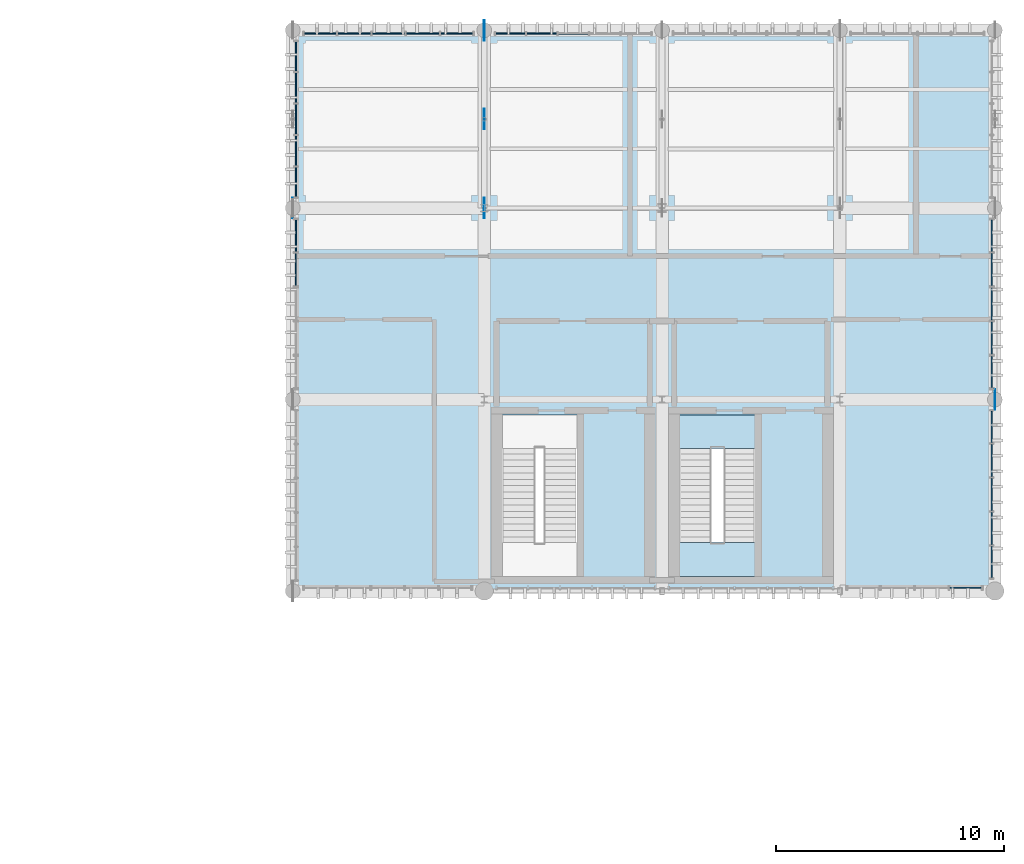
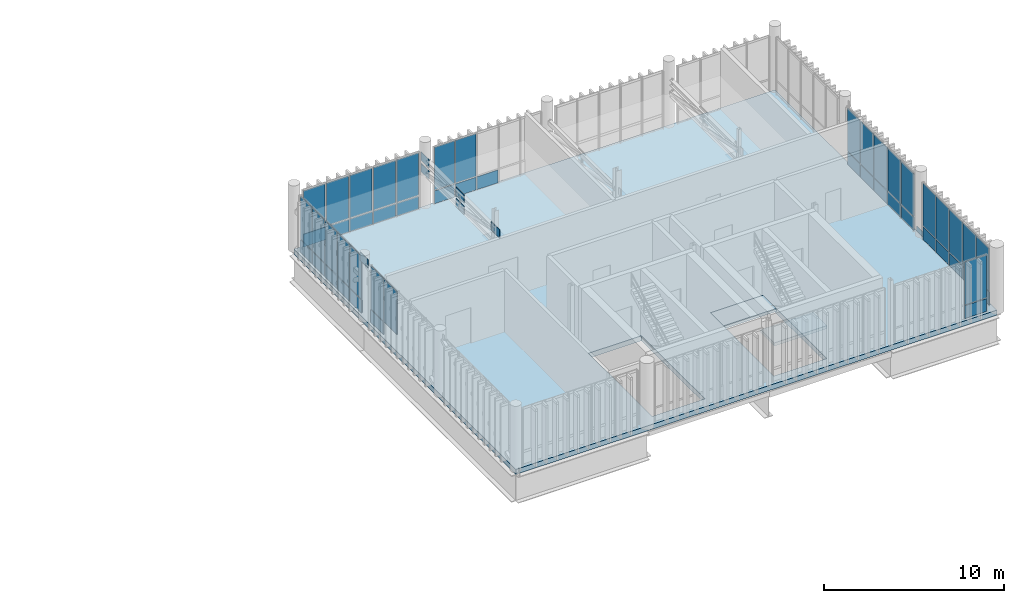
# One storey, part 44 of 53: 57 plates, 3 slabs, 8 elements without a shape of their own.
"""IFC4 building model written with IfcOpenShell, lengths in metres."""

import ifcopenshell
import ifcopenshell.guid

model = None  # the IFC model being written
_history = None  # IfcOwnerHistory: only IFC2X3 demands one
_inside = {}  # id of a spatial element -> (the spatial element, [elements in it])
_under = {}  # id of a project, library or spatial element -> (it, [spatial elements below it])
_declared = {}  # id of a project -> (the project, [libraries it declares])
_typed = {}  # id of a type object -> (the type object, [elements of that type])
_made_of = {}  # id of a material, layer set ... -> (it, [elements and type objects made of it])


def new_model(schema):
    """Start an empty IFC model of exactly this schema.

    Asked for "IFC4X3", IfcOpenShell would pick the latest addendum, in which some entities
    have other attributes; the version numbers below select the first issue.
    IFC2X3 requires an IfcOwnerHistory on every rooted entity: one is made here for all.
    """
    global model, _history
    if schema == "IFC4X3":
        model = ifcopenshell.file(schema_version=(4, 3, 0, 0))
    else:
        model = ifcopenshell.file(schema=schema)
    _inside.clear()
    _under.clear()
    _declared.clear()
    _typed.clear()
    _made_of.clear()
    _history = None
    if model.schema == "IFC2X3":
        org = make("IfcOrganization", Name="unknown")
        user = make(
            "IfcPersonAndOrganization",
            ThePerson=make("IfcPerson", FamilyName="unknown"),
            TheOrganization=org,
        )
        app = make(
            "IfcApplication",
            ApplicationDeveloper=org,
            Version="unknown",
            ApplicationFullName="unknown",
            ApplicationIdentifier="unknown",
        )
        _history = make(
            "IfcOwnerHistory",
            OwningUser=user,
            OwningApplication=app,
            ChangeAction="ADDED",
            CreationDate=0,
        )
    return model


def make(cls, **values):
    """One entity of the class cls with the attributes given. An attribute that is None is left unset."""
    return model.create_entity(
        cls, **{name: value for name, value in values.items() if value is not None}
    )


def rooted(cls, **values):
    """An entity with a GlobalId (a new one), such as an element, a storey or a relation."""
    return make(cls, GlobalId=ifcopenshell.guid.new(), OwnerHistory=_history, **values)


def si_unit(unit_type, name, prefix=None):
    """IfcSIUnit, for example si_unit("LENGTHUNIT", "METRE", prefix="MILLI")."""
    return make("IfcSIUnit", UnitType=unit_type, Prefix=prefix, Name=name)


def assignment(units):
    """IfcUnitAssignment: the units of a project."""
    return None if units is None else make("IfcUnitAssignment", Units=units)


def point(xyz):
    """IfcCartesianPoint."""
    return None if xyz is None else make("IfcCartesianPoint", Coordinates=xyz)


def direction(xyz):
    """IfcDirection."""
    return None if xyz is None else make("IfcDirection", DirectionRatios=xyz)


def frame(location, z_axis=None, x_axis=None):
    """IfcAxis2Placement3D, a coordinate frame: its origin and axes. An axis left out is left unset."""
    return make(
        "IfcAxis2Placement3D",
        Location=point(location),
        Axis=direction(z_axis),
        RefDirection=direction(x_axis),
    )


def frame_2d(location, x_axis=None):
    """IfcAxis2Placement2D, a coordinate frame in the plane: its origin and x axis."""
    return make(
        "IfcAxis2Placement2D", Location=point(location), RefDirection=direction(x_axis)
    )


def origin_with_axes():
    """The frame at (0, 0, 0) with the z axis (0, 0, 1) and the x axis (1, 0, 0) written out."""
    return frame((0.0, 0.0, 0.0), z_axis=(0.0, 0.0, 1.0), x_axis=(1.0, 0.0, 0.0))


def origin_2d_with_axis():
    """The frame at (0, 0) in the plane with the x axis (1, 0) written out."""
    return frame_2d((0.0, 0.0), x_axis=(1.0, 0.0))


def place(relative_to, where):
    """IfcLocalPlacement: puts the frame where relative to a parent placement (None: the world)."""
    return make(
        "IfcLocalPlacement", PlacementRelTo=relative_to, RelativePlacement=where
    )


def context(
    kind, dimensions, precision=None, world=None, true_north=None, identifier=None
):
    """IfcGeometricRepresentationContext, for example the 3D "Model" context."""
    return make(
        "IfcGeometricRepresentationContext",
        ContextIdentifier=identifier,
        ContextType=kind,
        CoordinateSpaceDimension=dimensions,
        Precision=precision,
        WorldCoordinateSystem=world,
        TrueNorth=true_north,
    )


def subcontext(parent, identifier, kind, view, scale=None):
    """IfcGeometricRepresentationSubContext, for example "Body" below "Model"."""
    return make(
        "IfcGeometricRepresentationSubContext",
        ContextIdentifier=identifier,
        ContextType=kind,
        ParentContext=parent,
        TargetScale=scale,
        TargetView=view,
    )


def project(units=None, contexts=None):
    """IfcProject with its units and contexts."""
    return rooted(
        "IfcProject",
        Name="project",
        RepresentationContexts=contexts,
        UnitsInContext=assignment(units),
    )


def spatial(cls, under=None, at=None, **own):
    """A site, building, storey or space (cls), placed at a placement, below another one or the project."""
    s = rooted(cls, ObjectPlacement=at, **own)
    if under is not None:
        _under.setdefault(under.id(), (under, []))[1].append(s)
    return s


def polyline(points):
    """IfcPolyline through the points."""
    return make("IfcPolyline", Points=[point(p) for p in points])


def profile(cls, at=None, kind="AREA", **sizes):
    """A parametric profile (cls). Its sizes go by their IFC names, for example OverallWidth=200.0."""
    return make(cls, ProfileType=kind, Position=at, **sizes)


def rectangle(**sizes):
    """IfcRectangleProfileDef."""
    return profile("IfcRectangleProfileDef", **sizes)


def outline(outer, holes=None, kind="AREA"):
    """IfcArbitraryClosedProfileDef: a profile drawn as a closed curve; with holes, ...WithVoids."""
    if holes is None:
        return make("IfcArbitraryClosedProfileDef", ProfileType=kind, OuterCurve=outer)
    return make(
        "IfcArbitraryProfileDefWithVoids",
        ProfileType=kind,
        OuterCurve=outer,
        InnerCurves=holes,
    )


def extrude(swept, where, along, depth):
    """IfcExtrudedAreaSolid: the profile swept, set in the frame where, extruded along a direction by depth."""
    return make(
        "IfcExtrudedAreaSolid",
        SweptArea=swept,
        Position=where,
        ExtrudedDirection=direction(along),
        Depth=depth,
    )


def shape(context_of_items, identifier, shape_type, items):
    """IfcShapeRepresentation: the items that make up one representation, for example the "Body"."""
    return make(
        "IfcShapeRepresentation",
        ContextOfItems=context_of_items,
        RepresentationIdentifier=identifier,
        RepresentationType=shape_type,
        Items=items,
    )


def material(Name=None, Category=None):
    """IfcMaterial."""
    return make("IfcMaterial", Name=Name, Category=Category)


def layer(
    of_material, thickness, ventilated=None, Name=None, Category=None, Priority=None
):
    """IfcMaterialLayer: one layer of a wall or slab, of a material (None: an air gap)."""
    return make(
        "IfcMaterialLayer",
        Material=of_material,
        LayerThickness=thickness,
        IsVentilated=ventilated,
        Name=Name,
        Category=Category,
        Priority=Priority,
    )


def layer_set(layers, Name=None):
    """IfcMaterialLayerSet."""
    return make("IfcMaterialLayerSet", MaterialLayers=layers, LayerSetName=Name)


def made_of(thing, what):
    """Note that an element or type object is made of a material, layer set ...; save() writes the relation."""
    if what is not None:
        _made_of.setdefault(what.id(), (what, []))[1].append(thing)
    return thing


def type_object(cls, material=None, **own):
    """A type object (cls), such as IfcWallType, which elements share."""
    return made_of(rooted(cls, **own), material)


def element(
    cls,
    number,
    at=None,
    inside=None,
    cuts=None,
    type_object=None,
    material=None,
    context=None,
    identifier="Body",
    shape_type=None,
    held_by="IfcProductDefinitionShape",
    body=None,
    shapes=None,
    **own,
):
    """One element of the class cls, such as IfcWall. Its Tag is "e" and its number.

    at: its placement. inside: the storey or other place that contains it. cuts: it is an
    opening in that element (IfcRelVoidsElement). A single representation is given by context,
    identifier, shape_type and body (its items); several are given by shapes. held_by: the class
    of the entity that holds the representations. save() writes the other relations.
    """
    e = rooted(cls, Tag="e%d" % number, ObjectPlacement=at, **own)
    if body is not None:
        shapes = [shape(context, identifier, shape_type, body)]
    if shapes is not None:
        e.Representation = make(held_by, Representations=shapes)
    if inside is not None:
        _inside.setdefault(inside.id(), (inside, []))[1].append(e)
    if cuts is not None:
        rooted(
            "IfcRelVoidsElement", RelatingBuildingElement=cuts, RelatedOpeningElement=e
        )
    if type_object is not None:
        _typed.setdefault(type_object.id(), (type_object, []))[1].append(e)
    return made_of(e, material)


def aggregate(whole, parts):
    """IfcRelAggregates: a whole, such as a stair, and the parts it consists of."""
    return rooted("IfcRelAggregates", RelatingObject=whole, RelatedObjects=parts)


def save(model, path):
    """Write the relations noted so far, then the file.

    IfcRelAggregates (storeys below a building ...), IfcRelContainedInSpatialStructure (elements
    in a storey), IfcRelDefinesByType, IfcRelAssociatesMaterial and IfcRelDeclares: one each for
    every whole, place, type object, material and project.
    """
    for whole, parts in _under.values():
        aggregate(whole, parts)
    for where, things in _inside.values():
        rooted(
            "IfcRelContainedInSpatialStructure",
            RelatedElements=things,
            RelatingStructure=where,
        )
    for kind, things in _typed.values():
        rooted("IfcRelDefinesByType", RelatedObjects=things, RelatingType=kind)
    for what, things in _made_of.values():
        rooted("IfcRelAssociatesMaterial", RelatedObjects=things, RelatingMaterial=what)
    for by, libraries in _declared.values():
        rooted("IfcRelDeclares", RelatingContext=by, RelatedDefinitions=libraries)
    model.write(path)


model = new_model("IFC4")

# Units and contexts
model_context = context("Model", 3, precision=1e-05, world=origin_with_axes(), true_north=direction((0.0, 1.0)))
body_context = subcontext(model_context, "Body", "Model", "MODEL_VIEW")
ifc_project = project(units=[si_unit("LENGTHUNIT", "METRE"), si_unit("AREAUNIT", "SQUARE_METRE"), si_unit("VOLUMEUNIT", "CUBIC_METRE"), si_unit("PLANEANGLEUNIT", "RADIAN"), si_unit("MASSUNIT", "GRAM", prefix="KILO"), si_unit("THERMODYNAMICTEMPERATUREUNIT", "KELVIN")], contexts=[model_context])

# Site, building, storey
site_placement = place(None, origin_with_axes())
site = spatial("IfcSite", under=ifc_project, at=site_placement, CompositionType="ELEMENT")
building_placement = place(site_placement, origin_with_axes())
building = spatial("IfcBuilding", under=site, at=building_placement, Name="Montbau Bow Law Courts", CompositionType="ELEMENT")
storey_placement = place(building_placement, frame((0.0, 0.0, 39.0), z_axis=(0.0, 0.0, 1.0), x_axis=(1.0, 0.0, 0.0)))
storey = spatial("IfcBuildingStorey", under=building, at=storey_placement, Name="L08", CompositionType="ELEMENT", Elevation=39.0)

# Curtain wall, plate
ifc_material_1 = material(Name="Thermally Broken Extruded Aluminium AA 6063-T6", Category="aluminium")
curtain_wall_type = type_object("IfcCurtainWallType", Name="CW-CRM-03", PredefinedType="NOTDEFINED", material=ifc_material_1)
curtain_wall_1_placement = place(None, frame((162.868, 86.54, 39.0), z_axis=(0.0, 0.0, 1.0), x_axis=(1.0, 0.0, 0.0)))
curtain_wall_1 = element("IfcCurtainWall", 1, at=curtain_wall_1_placement, inside=storey, type_object=curtain_wall_type, Name="CW-L08-375:cw_0375", PredefinedType="NOTDEFINED")
ifc_material_2 = material(Name="Triple-Glazed Low-E Argon Insulating Glass Unit", Category="glass")
ifc_layer_1 = layer(ifc_material_2, 0.044, Name="Curtain Panel", Category="glass")
ifc_layer_set_1 = layer_set([ifc_layer_1], Name="Triple-Glazed Low-E Argon Insulating Glass Unit")
plate_type_1 = type_object("IfcPlateType", Name="PL-CWP-01", PredefinedType="CURTAIN_PANEL", material=ifc_layer_set_1)
plate_1_placement = place(None, frame((167.42, 86.54, 39.98), z_axis=(0.0, -1.0, 0.0), x_axis=(1.0, 0.0, 0.0)))
plate_1 = element("IfcPlate", 2, at=plate_1_placement, type_object=plate_type_1, Name="CW-L08-375-P04-2:cw_0375_P04_2", PredefinedType="CURTAIN_PANEL", context=body_context, shape_type="SweptSolid", body=[
    extrude(rectangle(XDim=1.388, YDim=2.882, at=frame_2d((0.694, 1.441), x_axis=(1.0, 0.0))), frame((0.0, 0.0, -0.022), z_axis=(0.0, 0.0, 1.0), x_axis=(1.0, 0.0, 0.0)), (0.0, 0.0, 1.0), 0.044),
])

# Curtain wall, plates
curtain_wall_2_placement = place(None, frame((139.04, 110.86, 39.0), z_axis=(0.0, 0.0, 1.0), x_axis=(1.0, 0.0, 0.0)))
curtain_wall_2 = element("IfcCurtainWall", 3, at=curtain_wall_2_placement, inside=storey, type_object=curtain_wall_type, Name="CW-L08-376:cw_0376", PredefinedType="NOTDEFINED")
plate_2_placement = place(None, frame((139.108, 110.86, 39.982), z_axis=(0.0, -1.0, 0.0), x_axis=(1.0, 0.0, 0.0)))
plate_2 = element("IfcPlate", 4, at=plate_2_placement, type_object=plate_type_1, Name="CW-L08-376-P01-2:cw_0376_P01_2", PredefinedType="CURTAIN_PANEL", context=body_context, shape_type="SweptSolid", body=[
    extrude(rectangle(XDim=1.402, YDim=2.876, at=frame_2d((0.701, 1.438), x_axis=(1.0, 0.0))), frame((0.0, 0.0, -0.022), z_axis=(0.0, 0.0, 1.0), x_axis=(1.0, 0.0, 0.0)), (0.0, 0.0, 1.0), 0.044),
])
plate_3_placement = place(None, frame((140.578, 110.86, 39.982), z_axis=(0.0, -1.0, 0.0), x_axis=(1.0, 0.0, 0.0)))
plate_3 = element("IfcPlate", 5, at=plate_3_placement, type_object=plate_type_1, Name="CW-L08-376-P02-2:cw_0376_P02_2", PredefinedType="CURTAIN_PANEL", context=body_context, shape_type="SweptSolid", body=[
    extrude(rectangle(XDim=1.436, YDim=2.876, at=frame_2d((0.718, 1.438), x_axis=(1.0, 0.0))), frame((0.0, 0.0, -0.022), z_axis=(0.0, 0.0, 1.0), x_axis=(1.0, 0.0, 0.0)), (0.0, 0.0, 1.0), 0.044),
])
plate_4_placement = place(None, frame((142.082, 110.86, 39.982), z_axis=(0.0, -1.0, 0.0), x_axis=(1.0, 0.0, 0.0)))
plate_4 = element("IfcPlate", 6, at=plate_4_placement, type_object=plate_type_1, Name="CW-L08-376-P03-2:cw_0376_P03_2", PredefinedType="CURTAIN_PANEL", context=body_context, shape_type="SweptSolid", body=[
    extrude(rectangle(XDim=1.436, YDim=2.876, at=frame_2d((0.718, 1.438), x_axis=(1.0, 0.0))), frame((0.0, 0.0, -0.022), z_axis=(0.0, 0.0, 1.0), x_axis=(1.0, 0.0, 0.0)), (0.0, 0.0, 1.0), 0.044),
])
plate_5_placement = place(None, frame((143.586, 110.86, 39.982), z_axis=(0.0, -1.0, 0.0), x_axis=(1.0, 0.0, 0.0)))
plate_5 = element("IfcPlate", 7, at=plate_5_placement, type_object=plate_type_1, Name="CW-L08-376-P04-2:cw_0376_P04_2", PredefinedType="CURTAIN_PANEL", context=body_context, shape_type="SweptSolid", body=[
    extrude(rectangle(XDim=1.436, YDim=2.876, at=frame_2d((0.718, 1.438), x_axis=(1.0, 0.0))), frame((0.0, 0.0, -0.022), z_axis=(0.0, 0.0, 1.0), x_axis=(1.0, 0.0, 0.0)), (0.0, 0.0, 1.0), 0.044),
])
plate_6_placement = place(None, frame((145.09, 110.86, 39.982), z_axis=(0.0, -1.0, 0.0), x_axis=(1.0, 0.0, 0.0)))
plate_6 = element("IfcPlate", 8, at=plate_6_placement, type_object=plate_type_1, Name="CW-L08-376-P05-2:cw_0376_P05_2", PredefinedType="CURTAIN_PANEL", context=body_context, shape_type="SweptSolid", body=[
    extrude(rectangle(XDim=1.404, YDim=2.876, at=frame_2d((0.702, 1.438), x_axis=(1.0, 0.0))), frame((0.0, 0.0, -0.022), z_axis=(0.0, 0.0, 1.0), x_axis=(1.0, 0.0, 0.0)), (0.0, 0.0, 1.0), 0.044),
])

curtain_wall_3_placement = place(None, frame((147.44, 110.86, 39.0), z_axis=(0.0, 0.0, 1.0), x_axis=(1.0, 0.0, 0.0)))
curtain_wall_3 = element("IfcCurtainWall", 9, at=curtain_wall_3_placement, inside=storey, type_object=curtain_wall_type, Name="CW-L08-377:cw_0377", PredefinedType="NOTDEFINED")
plate_7_placement = place(None, frame((147.502, 110.86, 39.98), z_axis=(0.0, -1.0, 0.0), x_axis=(1.0, 0.0, 0.0)))
plate_7 = element("IfcPlate", 10, at=plate_7_placement, type_object=plate_type_1, Name="CW-L08-377-P01-2:cw_0377_P01_2", PredefinedType="CURTAIN_PANEL", context=body_context, shape_type="SweptSolid", body=[
    extrude(rectangle(XDim=1.29, YDim=2.882, at=frame_2d((0.645, 1.441), x_axis=(1.0, 0.0))), frame((0.0, 0.0, -0.022), z_axis=(0.0, 0.0, 1.0), x_axis=(1.0, 0.0, 0.0)), (0.0, 0.0, 1.0), 0.044),
])
plate_8_placement = place(None, frame((148.856, 110.86, 39.98), z_axis=(0.0, -1.0, 0.0), x_axis=(1.0, 0.0, 0.0)))
plate_8 = element("IfcPlate", 11, at=plate_8_placement, type_object=plate_type_1, Name="CW-L08-377-P02-2:cw_0377_P02_2", PredefinedType="CURTAIN_PANEL", context=body_context, shape_type="SweptSolid", body=[
    extrude(rectangle(XDim=1.32, YDim=2.882, at=frame_2d((0.66, 1.441), x_axis=(1.0, 0.0))), frame((0.0, 0.0, -0.022), z_axis=(0.0, 0.0, 1.0), x_axis=(1.0, 0.0, 0.0)), (0.0, 0.0, 1.0), 0.044),
])

curtain_wall_4_placement = place(None, frame((138.74, 95.24, 39.0), z_axis=(0.0, 0.0, 1.0), x_axis=(1.0, 0.0, 0.0)))
curtain_wall_4 = element("IfcCurtainWall", 12, at=curtain_wall_4_placement, inside=storey, type_object=curtain_wall_type, Name="CW-L08-381:cw_0381", PredefinedType="NOTDEFINED")
plate_9_placement = place(None, frame((138.74, 99.791, 39.98), z_axis=(1.0, 0.0, 0.0), x_axis=(0.0, 1.0, 0.0)))
plate_9 = element("IfcPlate", 13, at=plate_9_placement, type_object=plate_type_1, Name="CW-L08-381-P04-2:cw_0381_P04_2", PredefinedType="CURTAIN_PANEL", context=body_context, shape_type="SweptSolid", body=[
    extrude(rectangle(XDim=1.426, YDim=2.882, at=frame_2d((0.713, 1.441), x_axis=(1.0, 0.0))), frame((0.0, 0.0, -0.022), z_axis=(0.0, 0.0, 1.0), x_axis=(1.0, 0.0, 0.0)), (0.0, 0.0, 1.0), 0.044),
])
plate_10_placement = place(None, frame((138.74, 101.295, 39.98), z_axis=(1.0, 0.0, 0.0), x_axis=(0.0, 1.0, 0.0)))
plate_10 = element("IfcPlate", 14, at=plate_10_placement, type_object=plate_type_1, Name="CW-L08-381-P05-2:cw_0381_P05_2", PredefinedType="CURTAIN_PANEL", context=body_context, shape_type="SweptSolid", body=[
    extrude(rectangle(XDim=1.389, YDim=2.882, at=frame_2d((0.6945, 1.441), x_axis=(1.0, 0.0))), frame((0.0, 0.0, -0.022), z_axis=(0.0, 0.0, 1.0), x_axis=(1.0, 0.0, 0.0)), (0.0, 0.0, 1.0), 0.044),
])

curtain_wall_5_placement = place(None, frame((138.74, 103.64, 39.0), z_axis=(0.0, 0.0, 1.0), x_axis=(1.0, 0.0, 0.0)))
curtain_wall_5 = element("IfcCurtainWall", 15, at=curtain_wall_5_placement, inside=storey, type_object=curtain_wall_type, Name="CW-L08-382:cw_0382", PredefinedType="NOTDEFINED")
plate_11_placement = place(None, frame((138.74, 103.708, 39.982), z_axis=(1.0, 0.0, 0.0), x_axis=(0.0, 1.0, 0.0)))
plate_11 = element("IfcPlate", 16, at=plate_11_placement, type_object=plate_type_1, Name="CW-L08-382-P01-2:cw_0382_P01_2", PredefinedType="CURTAIN_PANEL", context=body_context, shape_type="SweptSolid", body=[
    extrude(rectangle(XDim=1.281, YDim=2.876, at=frame_2d((0.6405, 1.438), x_axis=(1.0, 0.0))), frame((0.0, 0.0, -0.022), z_axis=(0.0, 0.0, 1.0), x_axis=(1.0, 0.0, 0.0)), (0.0, 0.0, 1.0), 0.044),
])
plate_12_placement = place(None, frame((138.74, 105.058, 39.982), z_axis=(1.0, 0.0, 0.0), x_axis=(0.0, 1.0, 0.0)))
plate_12 = element("IfcPlate", 17, at=plate_12_placement, type_object=plate_type_1, Name="CW-L08-382-P02-2:cw_0382_P02_2", PredefinedType="CURTAIN_PANEL", context=body_context, shape_type="SweptSolid", body=[
    extrude(rectangle(XDim=1.315, YDim=2.876, at=frame_2d((0.6575, 1.438), x_axis=(1.0, 0.0))), frame((0.0, 0.0, -0.022), z_axis=(0.0, 0.0, 1.0), x_axis=(1.0, 0.0, 0.0)), (0.0, 0.0, 1.0), 0.044),
])
plate_13_placement = place(None, frame((138.74, 106.442, 39.982), z_axis=(1.0, 0.0, 0.0), x_axis=(0.0, 1.0, 0.0)))
plate_13 = element("IfcPlate", 18, at=plate_13_placement, type_object=plate_type_1, Name="CW-L08-382-P03-2:cw_0382_P03_2", PredefinedType="CURTAIN_PANEL", context=body_context, shape_type="SweptSolid", body=[
    extrude(rectangle(XDim=1.316, YDim=2.876, at=frame_2d((0.658, 1.438), x_axis=(1.0, 0.0))), frame((0.0, 0.0, -0.022), z_axis=(0.0, 0.0, 1.0), x_axis=(1.0, 0.0, 0.0)), (0.0, 0.0, 1.0), 0.044),
])
plate_14_placement = place(None, frame((138.74, 107.826, 39.982), z_axis=(1.0, 0.0, 0.0), x_axis=(0.0, 1.0, 0.0)))
plate_14 = element("IfcPlate", 19, at=plate_14_placement, type_object=plate_type_1, Name="CW-L08-382-P04-2:cw_0382_P04_2", PredefinedType="CURTAIN_PANEL", context=body_context, shape_type="SweptSolid", body=[
    extrude(rectangle(XDim=1.316, YDim=2.876, at=frame_2d((0.658, 1.438), x_axis=(1.0, 0.0))), frame((0.0, 0.0, -0.022), z_axis=(0.0, 0.0, 1.0), x_axis=(1.0, 0.0, 0.0)), (0.0, 0.0, 1.0), 0.044),
])
plate_15_placement = place(None, frame((138.74, 109.21, 39.982), z_axis=(1.0, 0.0, 0.0), x_axis=(0.0, 1.0, 0.0)))
plate_15 = element("IfcPlate", 20, at=plate_15_placement, type_object=plate_type_1, Name="CW-L08-382-P05-2:cw_0382_P05_2", PredefinedType="CURTAIN_PANEL", context=body_context, shape_type="SweptSolid", body=[
    extrude(rectangle(XDim=1.284, YDim=2.876, at=frame_2d((0.642, 1.438), x_axis=(1.0, 0.0))), frame((0.0, 0.0, -0.022), z_axis=(0.0, 0.0, 1.0), x_axis=(1.0, 0.0, 0.0)), (0.0, 0.0, 1.0), 0.044),
])

curtain_wall_6_placement = place(None, frame((169.26, 86.915, 39.0), z_axis=(0.0, 0.0, 1.0), x_axis=(1.0, 0.0, 0.0)))
curtain_wall_6 = element("IfcCurtainWall", 21, at=curtain_wall_6_placement, inside=storey, type_object=curtain_wall_type, Name="CW-L08-383:cw_0383", PredefinedType="NOTDEFINED")
plate_16_placement = place(None, frame((169.26, 86.977, 39.98), z_axis=(1.0, 0.0, 0.0), x_axis=(0.0, 1.0, 0.0)))
plate_16 = element("IfcPlate", 22, at=plate_16_placement, type_object=plate_type_1, Name="CW-L08-383-P01-2:cw_0383_P01_2", PredefinedType="CURTAIN_PANEL", context=body_context, shape_type="SweptSolid", body=[
    extrude(rectangle(XDim=1.395, YDim=2.882, at=frame_2d((0.6975, 1.441), x_axis=(1.0, 0.0))), frame((0.0, 0.0, -0.022), z_axis=(0.0, 0.0, 1.0), x_axis=(1.0, 0.0, 0.0)), (0.0, 0.0, 1.0), 0.044),
])
plate_17_placement = place(None, frame((169.26, 88.436, 39.98), z_axis=(1.0, 0.0, 0.0), x_axis=(0.0, 1.0, 0.0)))
plate_17 = element("IfcPlate", 23, at=plate_17_placement, type_object=plate_type_1, Name="CW-L08-383-P02-2:cw_0383_P02_2", PredefinedType="CURTAIN_PANEL", context=body_context, shape_type="SweptSolid", body=[
    extrude(rectangle(XDim=1.425, YDim=2.882, at=frame_2d((0.7125, 1.441), x_axis=(1.0, 0.0))), frame((0.0, 0.0, -0.022), z_axis=(0.0, 0.0, 1.0), x_axis=(1.0, 0.0, 0.0)), (0.0, 0.0, 1.0), 0.044),
])
plate_18_placement = place(None, frame((169.26, 89.925, 39.98), z_axis=(1.0, 0.0, 0.0), x_axis=(0.0, 1.0, 0.0)))
plate_18 = element("IfcPlate", 24, at=plate_18_placement, type_object=plate_type_1, Name="CW-L08-383-P03-2:cw_0383_P03_2", PredefinedType="CURTAIN_PANEL", context=body_context, shape_type="SweptSolid", body=[
    extrude(rectangle(XDim=1.425, YDim=2.882, at=frame_2d((0.7125, 1.441), x_axis=(1.0, 0.0))), frame((0.0, 0.0, -0.022), z_axis=(0.0, 0.0, 1.0), x_axis=(1.0, 0.0, 0.0)), (0.0, 0.0, 1.0), 0.044),
])
plate_19_placement = place(None, frame((169.26, 91.414, 39.98), z_axis=(1.0, 0.0, 0.0), x_axis=(0.0, 1.0, 0.0)))
plate_19 = element("IfcPlate", 25, at=plate_19_placement, type_object=plate_type_1, Name="CW-L08-383-P04-2:cw_0383_P04_2", PredefinedType="CURTAIN_PANEL", context=body_context, shape_type="SweptSolid", body=[
    extrude(rectangle(XDim=1.425, YDim=2.882, at=frame_2d((0.7125, 1.441), x_axis=(1.0, 0.0))), frame((0.0, 0.0, -0.022), z_axis=(0.0, 0.0, 1.0), x_axis=(1.0, 0.0, 0.0)), (0.0, 0.0, 1.0), 0.044),
])
plate_20_placement = place(None, frame((169.26, 92.903, 39.98), z_axis=(1.0, 0.0, 0.0), x_axis=(0.0, 1.0, 0.0)))
plate_20 = element("IfcPlate", 26, at=plate_20_placement, type_object=plate_type_1, Name="CW-L08-383-P05-2:cw_0383_P05_2", PredefinedType="CURTAIN_PANEL", context=body_context, shape_type="SweptSolid", body=[
    extrude(rectangle(XDim=1.395, YDim=2.882, at=frame_2d((0.6975, 1.441), x_axis=(1.0, 0.0))), frame((0.0, 0.0, -0.022), z_axis=(0.0, 0.0, 1.0), x_axis=(1.0, 0.0, 0.0)), (0.0, 0.0, 1.0), 0.044),
])

curtain_wall_7_placement = place(None, frame((169.26, 95.24, 39.0), z_axis=(0.0, 0.0, 1.0), x_axis=(1.0, 0.0, 0.0)))
curtain_wall_7 = element("IfcCurtainWall", 27, at=curtain_wall_7_placement, inside=storey, type_object=curtain_wall_type, Name="CW-L08-384:cw_0384", PredefinedType="NOTDEFINED")
plate_21_placement = place(None, frame((169.26, 95.316, 39.982), z_axis=(1.0, 0.0, 0.0), x_axis=(0.0, 1.0, 0.0)))
plate_21 = element("IfcPlate", 28, at=plate_21_placement, type_object=plate_type_1, Name="CW-L08-384-P01-2:cw_0384_P01_2", PredefinedType="CURTAIN_PANEL", context=body_context, shape_type="SweptSolid", body=[
    extrude(rectangle(XDim=1.388, YDim=2.876, at=frame_2d((0.694, 1.438), x_axis=(1.0, 0.0))), frame((0.0, 0.0, -0.022), z_axis=(0.0, 0.0, 1.0), x_axis=(1.0, 0.0, 0.0)), (0.0, 0.0, 1.0), 0.044),
])
plate_22_placement = place(None, frame((169.26, 96.784, 39.982), z_axis=(1.0, 0.0, 0.0), x_axis=(0.0, 1.0, 0.0)))
plate_22 = element("IfcPlate", 29, at=plate_22_placement, type_object=plate_type_1, Name="CW-L08-384-P02-2:cw_0384_P02_2", PredefinedType="CURTAIN_PANEL", context=body_context, shape_type="SweptSolid", body=[
    extrude(rectangle(XDim=1.425, YDim=2.876, at=frame_2d((0.7125, 1.438), x_axis=(1.0, 0.0))), frame((0.0, 0.0, -0.022), z_axis=(0.0, 0.0, 1.0), x_axis=(1.0, 0.0, 0.0)), (0.0, 0.0, 1.0), 0.044),
])
plate_23_placement = place(None, frame((169.26, 98.287, 39.982), z_axis=(1.0, 0.0, 0.0), x_axis=(0.0, 1.0, 0.0)))
plate_23 = element("IfcPlate", 30, at=plate_23_placement, type_object=plate_type_1, Name="CW-L08-384-P03-2:cw_0384_P03_2", PredefinedType="CURTAIN_PANEL", context=body_context, shape_type="SweptSolid", body=[
    extrude(rectangle(XDim=1.426, YDim=2.876, at=frame_2d((0.713, 1.438), x_axis=(1.0, 0.0))), frame((0.0, 0.0, -0.022), z_axis=(0.0, 0.0, 1.0), x_axis=(1.0, 0.0, 0.0)), (0.0, 0.0, 1.0), 0.044),
])
plate_24_placement = place(None, frame((169.26, 99.791, 39.982), z_axis=(1.0, 0.0, 0.0), x_axis=(0.0, 1.0, 0.0)))
plate_24 = element("IfcPlate", 31, at=plate_24_placement, type_object=plate_type_1, Name="CW-L08-384-P04-2:cw_0384_P04_2", PredefinedType="CURTAIN_PANEL", context=body_context, shape_type="SweptSolid", body=[
    extrude(rectangle(XDim=1.426, YDim=2.876, at=frame_2d((0.713, 1.438), x_axis=(1.0, 0.0))), frame((0.0, 0.0, -0.022), z_axis=(0.0, 0.0, 1.0), x_axis=(1.0, 0.0, 0.0)), (0.0, 0.0, 1.0), 0.044),
])
plate_25_placement = place(None, frame((169.26, 101.295, 39.982), z_axis=(1.0, 0.0, 0.0), x_axis=(0.0, 1.0, 0.0)))
plate_25 = element("IfcPlate", 32, at=plate_25_placement, type_object=plate_type_1, Name="CW-L08-384-P05-2:cw_0384_P05_2", PredefinedType="CURTAIN_PANEL", context=body_context, shape_type="SweptSolid", body=[
    extrude(rectangle(XDim=1.389, YDim=2.876, at=frame_2d((0.6945, 1.438), x_axis=(1.0, 0.0))), frame((0.0, 0.0, -0.022), z_axis=(0.0, 0.0, 1.0), x_axis=(1.0, 0.0, 0.0)), (0.0, 0.0, 1.0), 0.044),
])

# Plate
ifc_material_3 = material(Name="Insulated Ceramic-Frit Spandrel Glazing Unit", Category="glass")
ifc_layer_2 = layer(ifc_material_3, 0.056, Name="Curtain Panel", Category="glass")
ifc_layer_set_2 = layer_set([ifc_layer_2], Name="Insulated Ceramic-Frit Spandrel Glazing Unit")
plate_type_2 = type_object("IfcPlateType", Name="PL-CWP-02", PredefinedType="CURTAIN_PANEL", material=ifc_layer_set_2)
plate_26_placement = place(None, frame((167.42, 86.54, 39.058), z_axis=(0.0, -1.0, 0.0), x_axis=(1.0, 0.0, 0.0)))
plate_26 = element("IfcPlate", 33, at=plate_26_placement, type_object=plate_type_2, Name="CW-L08-375-P04-1:cw_0375_P04_1", PredefinedType="CURTAIN_PANEL", context=body_context, shape_type="SweptSolid", body=[
    extrude(rectangle(XDim=1.388, YDim=0.862, at=frame_2d((0.694, 0.431), x_axis=(1.0, 0.0))), frame((0.0, 0.0, -0.028), z_axis=(0.0, 0.0, 1.0), x_axis=(1.0, 0.0, 0.0)), (0.0, 0.0, 1.0), 0.056),
])

aggregate(curtain_wall_1, [plate_26, plate_1])

plate_27_placement = place(None, frame((139.108, 110.86, 39.062), z_axis=(0.0, -1.0, 0.0), x_axis=(1.0, 0.0, 0.0)))
plate_27 = element("IfcPlate", 34, at=plate_27_placement, type_object=plate_type_2, Name="CW-L08-376-P01-1:cw_0376_P01_1", PredefinedType="CURTAIN_PANEL", context=body_context, shape_type="SweptSolid", body=[
    extrude(rectangle(XDim=1.402, YDim=0.856, at=frame_2d((0.701, 0.428), x_axis=(1.0, 0.0))), frame((0.0, 0.0, -0.028), z_axis=(0.0, 0.0, 1.0), x_axis=(1.0, 0.0, 0.0)), (0.0, 0.0, 1.0), 0.056),
])

plate_28_placement = place(None, frame((140.578, 110.86, 39.062), z_axis=(0.0, -1.0, 0.0), x_axis=(1.0, 0.0, 0.0)))
plate_28 = element("IfcPlate", 35, at=plate_28_placement, type_object=plate_type_2, Name="CW-L08-376-P02-1:cw_0376_P02_1", PredefinedType="CURTAIN_PANEL", context=body_context, shape_type="SweptSolid", body=[
    extrude(rectangle(XDim=1.436, YDim=0.856, at=frame_2d((0.718, 0.428), x_axis=(1.0, 0.0))), frame((0.0, 0.0, -0.028), z_axis=(0.0, 0.0, 1.0), x_axis=(1.0, 0.0, 0.0)), (0.0, 0.0, 1.0), 0.056),
])

plate_29_placement = place(None, frame((142.082, 110.86, 39.062), z_axis=(0.0, -1.0, 0.0), x_axis=(1.0, 0.0, 0.0)))
plate_29 = element("IfcPlate", 36, at=plate_29_placement, type_object=plate_type_2, Name="CW-L08-376-P03-1:cw_0376_P03_1", PredefinedType="CURTAIN_PANEL", context=body_context, shape_type="SweptSolid", body=[
    extrude(rectangle(XDim=1.436, YDim=0.856, at=frame_2d((0.718, 0.428), x_axis=(1.0, 0.0))), frame((0.0, 0.0, -0.028), z_axis=(0.0, 0.0, 1.0), x_axis=(1.0, 0.0, 0.0)), (0.0, 0.0, 1.0), 0.056),
])

plate_30_placement = place(None, frame((143.586, 110.86, 39.062), z_axis=(0.0, -1.0, 0.0), x_axis=(1.0, 0.0, 0.0)))
plate_30 = element("IfcPlate", 37, at=plate_30_placement, type_object=plate_type_2, Name="CW-L08-376-P04-1:cw_0376_P04_1", PredefinedType="CURTAIN_PANEL", context=body_context, shape_type="SweptSolid", body=[
    extrude(rectangle(XDim=1.436, YDim=0.856, at=frame_2d((0.718, 0.428), x_axis=(1.0, 0.0))), frame((0.0, 0.0, -0.028), z_axis=(0.0, 0.0, 1.0), x_axis=(1.0, 0.0, 0.0)), (0.0, 0.0, 1.0), 0.056),
])

plate_31_placement = place(None, frame((145.09, 110.86, 39.062), z_axis=(0.0, -1.0, 0.0), x_axis=(1.0, 0.0, 0.0)))
plate_31 = element("IfcPlate", 38, at=plate_31_placement, type_object=plate_type_2, Name="CW-L08-376-P05-1:cw_0376_P05_1", PredefinedType="CURTAIN_PANEL", context=body_context, shape_type="SweptSolid", body=[
    extrude(rectangle(XDim=1.404, YDim=0.856, at=frame_2d((0.702, 0.428), x_axis=(1.0, 0.0))), frame((0.0, 0.0, -0.028), z_axis=(0.0, 0.0, 1.0), x_axis=(1.0, 0.0, 0.0)), (0.0, 0.0, 1.0), 0.056),
])

aggregate(curtain_wall_2, [plate_27, plate_2, plate_28, plate_3, plate_29, plate_4, plate_30, plate_5, plate_31, plate_6])

plate_32_placement = place(None, frame((147.502, 110.86, 39.058), z_axis=(0.0, -1.0, 0.0), x_axis=(1.0, 0.0, 0.0)))
plate_32 = element("IfcPlate", 39, at=plate_32_placement, type_object=plate_type_2, Name="CW-L08-377-P01-1:cw_0377_P01_1", PredefinedType="CURTAIN_PANEL", context=body_context, shape_type="SweptSolid", body=[
    extrude(rectangle(XDim=1.29, YDim=0.862, at=frame_2d((0.645, 0.431), x_axis=(1.0, 0.0))), frame((0.0, 0.0, -0.028), z_axis=(0.0, 0.0, 1.0), x_axis=(1.0, 0.0, 0.0)), (0.0, 0.0, 1.0), 0.056),
])

plate_33_placement = place(None, frame((148.856, 110.86, 39.058), z_axis=(0.0, -1.0, 0.0), x_axis=(1.0, 0.0, 0.0)))
plate_33 = element("IfcPlate", 40, at=plate_33_placement, type_object=plate_type_2, Name="CW-L08-377-P02-1:cw_0377_P02_1", PredefinedType="CURTAIN_PANEL", context=body_context, shape_type="SweptSolid", body=[
    extrude(rectangle(XDim=1.32, YDim=0.862, at=frame_2d((0.66, 0.431), x_axis=(1.0, 0.0))), frame((0.0, 0.0, -0.028), z_axis=(0.0, 0.0, 1.0), x_axis=(1.0, 0.0, 0.0)), (0.0, 0.0, 1.0), 0.056),
])

plate_34_placement = place(None, frame((150.24, 110.86, 39.058), z_axis=(0.0, -1.0, 0.0), x_axis=(1.0, 0.0, 0.0)))
plate_34 = element("IfcPlate", 41, at=plate_34_placement, type_object=plate_type_2, Name="CW-L08-377-P03-1:cw_0377_P03_1", PredefinedType="CURTAIN_PANEL", context=body_context, shape_type="SweptSolid", body=[
    extrude(rectangle(XDim=1.32, YDim=0.862, at=frame_2d((0.66, 0.431), x_axis=(1.0, 0.0))), frame((0.0, 0.0, -0.028), z_axis=(0.0, 0.0, 1.0), x_axis=(1.0, 0.0, 0.0)), (0.0, 0.0, 1.0), 0.056),
])

aggregate(curtain_wall_3, [plate_32, plate_7, plate_33, plate_8, plate_34])

plate_35_placement = place(None, frame((138.74, 101.295, 39.058), z_axis=(1.0, 0.0, 0.0), x_axis=(0.0, 1.0, 0.0)))
plate_35 = element("IfcPlate", 42, at=plate_35_placement, type_object=plate_type_2, Name="CW-L08-381-P05-1:cw_0381_P05_1", PredefinedType="CURTAIN_PANEL", context=body_context, shape_type="SweptSolid", body=[
    extrude(rectangle(XDim=1.389, YDim=0.862, at=frame_2d((0.6945, 0.431), x_axis=(1.0, 0.0))), frame((0.0, 0.0, -0.028), z_axis=(0.0, 0.0, 1.0), x_axis=(1.0, 0.0, 0.0)), (0.0, 0.0, 1.0), 0.056),
])

aggregate(curtain_wall_4, [plate_9, plate_35, plate_10])

plate_36_placement = place(None, frame((138.74, 103.708, 39.062), z_axis=(1.0, 0.0, 0.0), x_axis=(0.0, 1.0, 0.0)))
plate_36 = element("IfcPlate", 43, at=plate_36_placement, type_object=plate_type_2, Name="CW-L08-382-P01-1:cw_0382_P01_1", PredefinedType="CURTAIN_PANEL", context=body_context, shape_type="SweptSolid", body=[
    extrude(rectangle(XDim=1.281, YDim=0.856, at=frame_2d((0.6405, 0.428), x_axis=(1.0, 0.0))), frame((0.0, 0.0, -0.028), z_axis=(0.0, 0.0, 1.0), x_axis=(1.0, 0.0, 0.0)), (0.0, 0.0, 1.0), 0.056),
])

plate_37_placement = place(None, frame((138.74, 105.058, 39.062), z_axis=(1.0, 0.0, 0.0), x_axis=(0.0, 1.0, 0.0)))
plate_37 = element("IfcPlate", 44, at=plate_37_placement, type_object=plate_type_2, Name="CW-L08-382-P02-1:cw_0382_P02_1", PredefinedType="CURTAIN_PANEL", context=body_context, shape_type="SweptSolid", body=[
    extrude(rectangle(XDim=1.315, YDim=0.856, at=frame_2d((0.6575, 0.428), x_axis=(1.0, 0.0))), frame((0.0, 0.0, -0.028), z_axis=(0.0, 0.0, 1.0), x_axis=(1.0, 0.0, 0.0)), (0.0, 0.0, 1.0), 0.056),
])

plate_38_placement = place(None, frame((138.74, 106.442, 39.062), z_axis=(1.0, 0.0, 0.0), x_axis=(0.0, 1.0, 0.0)))
plate_38 = element("IfcPlate", 45, at=plate_38_placement, type_object=plate_type_2, Name="CW-L08-382-P03-1:cw_0382_P03_1", PredefinedType="CURTAIN_PANEL", context=body_context, shape_type="SweptSolid", body=[
    extrude(rectangle(XDim=1.316, YDim=0.856, at=frame_2d((0.658, 0.428), x_axis=(1.0, 0.0))), frame((0.0, 0.0, -0.028), z_axis=(0.0, 0.0, 1.0), x_axis=(1.0, 0.0, 0.0)), (0.0, 0.0, 1.0), 0.056),
])

plate_39_placement = place(None, frame((138.74, 107.826, 39.062), z_axis=(1.0, 0.0, 0.0), x_axis=(0.0, 1.0, 0.0)))
plate_39 = element("IfcPlate", 46, at=plate_39_placement, type_object=plate_type_2, Name="CW-L08-382-P04-1:cw_0382_P04_1", PredefinedType="CURTAIN_PANEL", context=body_context, shape_type="SweptSolid", body=[
    extrude(rectangle(XDim=1.316, YDim=0.856, at=frame_2d((0.658, 0.428), x_axis=(1.0, 0.0))), frame((0.0, 0.0, -0.028), z_axis=(0.0, 0.0, 1.0), x_axis=(1.0, 0.0, 0.0)), (0.0, 0.0, 1.0), 0.056),
])

plate_40_placement = place(None, frame((138.74, 109.21, 39.062), z_axis=(1.0, 0.0, 0.0), x_axis=(0.0, 1.0, 0.0)))
plate_40 = element("IfcPlate", 47, at=plate_40_placement, type_object=plate_type_2, Name="CW-L08-382-P05-1:cw_0382_P05_1", PredefinedType="CURTAIN_PANEL", context=body_context, shape_type="SweptSolid", body=[
    extrude(rectangle(XDim=1.284, YDim=0.856, at=frame_2d((0.642, 0.428), x_axis=(1.0, 0.0))), frame((0.0, 0.0, -0.028), z_axis=(0.0, 0.0, 1.0), x_axis=(1.0, 0.0, 0.0)), (0.0, 0.0, 1.0), 0.056),
])

aggregate(curtain_wall_5, [plate_36, plate_11, plate_37, plate_12, plate_38, plate_13, plate_39, plate_14, plate_40, plate_15])

plate_41_placement = place(None, frame((169.26, 86.977, 39.058), z_axis=(1.0, 0.0, 0.0), x_axis=(0.0, 1.0, 0.0)))
plate_41 = element("IfcPlate", 48, at=plate_41_placement, type_object=plate_type_2, Name="CW-L08-383-P01-1:cw_0383_P01_1", PredefinedType="CURTAIN_PANEL", context=body_context, shape_type="SweptSolid", body=[
    extrude(rectangle(XDim=1.395, YDim=0.862, at=frame_2d((0.6975, 0.431), x_axis=(1.0, 0.0))), frame((0.0, 0.0, -0.028), z_axis=(0.0, 0.0, 1.0), x_axis=(1.0, 0.0, 0.0)), (0.0, 0.0, 1.0), 0.056),
])

plate_42_placement = place(None, frame((169.26, 88.436, 39.058), z_axis=(1.0, 0.0, 0.0), x_axis=(0.0, 1.0, 0.0)))
plate_42 = element("IfcPlate", 49, at=plate_42_placement, type_object=plate_type_2, Name="CW-L08-383-P02-1:cw_0383_P02_1", PredefinedType="CURTAIN_PANEL", context=body_context, shape_type="SweptSolid", body=[
    extrude(rectangle(XDim=1.425, YDim=0.862, at=frame_2d((0.7125, 0.431), x_axis=(1.0, 0.0))), frame((0.0, 0.0, -0.028), z_axis=(0.0, 0.0, 1.0), x_axis=(1.0, 0.0, 0.0)), (0.0, 0.0, 1.0), 0.056),
])

plate_43_placement = place(None, frame((169.26, 89.925, 39.058), z_axis=(1.0, 0.0, 0.0), x_axis=(0.0, 1.0, 0.0)))
plate_43 = element("IfcPlate", 50, at=plate_43_placement, type_object=plate_type_2, Name="CW-L08-383-P03-1:cw_0383_P03_1", PredefinedType="CURTAIN_PANEL", context=body_context, shape_type="SweptSolid", body=[
    extrude(rectangle(XDim=1.425, YDim=0.862, at=frame_2d((0.7125, 0.431), x_axis=(1.0, 0.0))), frame((0.0, 0.0, -0.028), z_axis=(0.0, 0.0, 1.0), x_axis=(1.0, 0.0, 0.0)), (0.0, 0.0, 1.0), 0.056),
])

plate_44_placement = place(None, frame((169.26, 91.414, 39.058), z_axis=(1.0, 0.0, 0.0), x_axis=(0.0, 1.0, 0.0)))
plate_44 = element("IfcPlate", 51, at=plate_44_placement, type_object=plate_type_2, Name="CW-L08-383-P04-1:cw_0383_P04_1", PredefinedType="CURTAIN_PANEL", context=body_context, shape_type="SweptSolid", body=[
    extrude(rectangle(XDim=1.425, YDim=0.862, at=frame_2d((0.7125, 0.431), x_axis=(1.0, 0.0))), frame((0.0, 0.0, -0.028), z_axis=(0.0, 0.0, 1.0), x_axis=(1.0, 0.0, 0.0)), (0.0, 0.0, 1.0), 0.056),
])

plate_45_placement = place(None, frame((169.26, 92.903, 39.058), z_axis=(1.0, 0.0, 0.0), x_axis=(0.0, 1.0, 0.0)))
plate_45 = element("IfcPlate", 52, at=plate_45_placement, type_object=plate_type_2, Name="CW-L08-383-P05-1:cw_0383_P05_1", PredefinedType="CURTAIN_PANEL", context=body_context, shape_type="SweptSolid", body=[
    extrude(rectangle(XDim=1.395, YDim=0.862, at=frame_2d((0.6975, 0.431), x_axis=(1.0, 0.0))), frame((0.0, 0.0, -0.028), z_axis=(0.0, 0.0, 1.0), x_axis=(1.0, 0.0, 0.0)), (0.0, 0.0, 1.0), 0.056),
])

aggregate(curtain_wall_6, [plate_41, plate_16, plate_42, plate_17, plate_43, plate_18, plate_44, plate_19, plate_45, plate_20])

plate_46_placement = place(None, frame((169.26, 95.316, 39.062), z_axis=(1.0, 0.0, 0.0), x_axis=(0.0, 1.0, 0.0)))
plate_46 = element("IfcPlate", 53, at=plate_46_placement, type_object=plate_type_2, Name="CW-L08-384-P01-1:cw_0384_P01_1", PredefinedType="CURTAIN_PANEL", context=body_context, shape_type="SweptSolid", body=[
    extrude(rectangle(XDim=1.388, YDim=0.856, at=frame_2d((0.694, 0.428), x_axis=(1.0, 0.0))), frame((0.0, 0.0, -0.028), z_axis=(0.0, 0.0, 1.0), x_axis=(1.0, 0.0, 0.0)), (0.0, 0.0, 1.0), 0.056),
])

plate_47_placement = place(None, frame((169.26, 96.784, 39.062), z_axis=(1.0, 0.0, 0.0), x_axis=(0.0, 1.0, 0.0)))
plate_47 = element("IfcPlate", 54, at=plate_47_placement, type_object=plate_type_2, Name="CW-L08-384-P02-1:cw_0384_P02_1", PredefinedType="CURTAIN_PANEL", context=body_context, shape_type="SweptSolid", body=[
    extrude(rectangle(XDim=1.425, YDim=0.856, at=frame_2d((0.7125, 0.428), x_axis=(1.0, 0.0))), frame((0.0, 0.0, -0.028), z_axis=(0.0, 0.0, 1.0), x_axis=(1.0, 0.0, 0.0)), (0.0, 0.0, 1.0), 0.056),
])

plate_48_placement = place(None, frame((169.26, 98.287, 39.062), z_axis=(1.0, 0.0, 0.0), x_axis=(0.0, 1.0, 0.0)))
plate_48 = element("IfcPlate", 55, at=plate_48_placement, type_object=plate_type_2, Name="CW-L08-384-P03-1:cw_0384_P03_1", PredefinedType="CURTAIN_PANEL", context=body_context, shape_type="SweptSolid", body=[
    extrude(rectangle(XDim=1.426, YDim=0.856, at=frame_2d((0.713, 0.428), x_axis=(1.0, 0.0))), frame((0.0, 0.0, -0.028), z_axis=(0.0, 0.0, 1.0), x_axis=(1.0, 0.0, 0.0)), (0.0, 0.0, 1.0), 0.056),
])

plate_49_placement = place(None, frame((169.26, 99.791, 39.062), z_axis=(1.0, 0.0, 0.0), x_axis=(0.0, 1.0, 0.0)))
plate_49 = element("IfcPlate", 56, at=plate_49_placement, type_object=plate_type_2, Name="CW-L08-384-P04-1:cw_0384_P04_1", PredefinedType="CURTAIN_PANEL", context=body_context, shape_type="SweptSolid", body=[
    extrude(rectangle(XDim=1.426, YDim=0.856, at=frame_2d((0.713, 0.428), x_axis=(1.0, 0.0))), frame((0.0, 0.0, -0.028), z_axis=(0.0, 0.0, 1.0), x_axis=(1.0, 0.0, 0.0)), (0.0, 0.0, 1.0), 0.056),
])

plate_50_placement = place(None, frame((169.26, 101.295, 39.062), z_axis=(1.0, 0.0, 0.0), x_axis=(0.0, 1.0, 0.0)))
plate_50 = element("IfcPlate", 57, at=plate_50_placement, type_object=plate_type_2, Name="CW-L08-384-P05-1:cw_0384_P05_1", PredefinedType="CURTAIN_PANEL", context=body_context, shape_type="SweptSolid", body=[
    extrude(rectangle(XDim=1.389, YDim=0.856, at=frame_2d((0.6945, 0.428), x_axis=(1.0, 0.0))), frame((0.0, 0.0, -0.028), z_axis=(0.0, 0.0, 1.0), x_axis=(1.0, 0.0, 0.0)), (0.0, 0.0, 1.0), 0.056),
])

aggregate(curtain_wall_7, [plate_46, plate_21, plate_47, plate_22, plate_48, plate_23, plate_49, plate_24, plate_50, plate_25])

# Plates
ifc_material_4 = material(Name="Steel CSA G40.21 Grade 350WT (350 MPa)", Category="steel")
ifc_layer_3 = layer(ifc_material_4, 0.032, Name="Gusset Plate", Category="steel")
ifc_layer_set_3 = layer_set([ifc_layer_3], Name="Steel CSA G40.21 Grade 350WT (350 MPa)")
plate_type_3 = type_object("IfcPlateType", Name="PL-GUS-01", PredefinedType="USERDEFINED", material=ifc_layer_set_3)
for number, where, z_axis, x_axis, name in (
    (58, (147.0, 103.2, 41.82), (0.0, 0.0, 1.0), (0.0, 1.0, 0.0), "BGP-L08-076:plt_0107"),
    (59, (147.0, 107.1, 41.04), (0.0, 0.0, 1.0), (0.0, 1.0, 0.0), "BGP-L08-077:plt_0108"),
    (60, (147.0, 107.1, 41.82), (0.0, 0.0, 1.0), (0.0, 1.0, 0.0), "BGP-L08-078:plt_0109"),
    (61, (147.0, 111.0, 41.04), (0.0, 0.0, 1.0), (0.0, 1.0, 0.0), "BGP-L08-079:plt_0110"),
    (62, (147.0, 111.0, 41.82), (0.0, 0.0, 1.0), (0.0, 1.0, 0.0), "BGP-L08-080:plt_0111"),
    (63, (138.6, 103.2, 42.717), (0.0, 0.0, 1.0), (0.0, 1.0, 0.0), "BGP-L08-163:plt_0194"),
    (64, (169.4, 94.8, 38.77), (0.0, 0.0, 1.0), (0.0, 1.0, 0.0), "BGP-L08-176:plt_0207"),
):
    element("IfcPlate", number, at=place(None, frame(where, z_axis=z_axis, x_axis=x_axis)), inside=storey, type_object=plate_type_3, Name=name, ObjectType="GUSSET_PLATE", PredefinedType="USERDEFINED", context=body_context, shape_type="SweptSolid", body=[
        extrude(rectangle(XDim=0.9, YDim=0.032, at=origin_2d_with_axis()), origin_with_axes(), (0.0, 0.0, 1.0), 0.56),
    ])

# Slab
ifc_material_5 = material(Name="Concrete CSA A23.1 f'c 40 MPa", Category="concrete")
ifc_layer_4 = layer(ifc_material_5, 0.34, Name="Floor Slab", Category="concrete")
ifc_layer_set_4 = layer_set([ifc_layer_4], Name="Concrete CSA A23.1 f'c 40 MPa")
slab_type_1 = type_object("IfcSlabType", Name="SL-FLR-07", PredefinedType="FLOOR", material=ifc_layer_set_4)
slab_1_placement = place(None, frame((0.0, 0.0, 38.66), z_axis=(0.0, 0.0, 1.0), x_axis=(1.0, 0.0, 0.0)))
element("IfcSlab", 65, at=slab_1_placement, inside=storey, type_object=slab_type_1, Name="SL-V5-L08:slb_0033", PredefinedType="FLOOR", context=body_context, shape_type="SweptSolid", body=[
    extrude(outline(polyline([(138.6, 86.4), (169.4, 86.4), (169.4, 111.0), (138.6, 111.0), (138.6, 86.4)]), holes=[polyline([(147.72, 87.07), (151.1, 87.07), (151.1, 94.112), (147.72, 94.112), (147.72, 87.07)]), polyline([(155.52, 87.07), (158.9, 87.07), (158.9, 94.112), (155.52, 94.112), (155.52, 87.07)])]), origin_with_axes(), (0.0, 0.0, 1.0), 0.34),
])

# Stair, slabs
stair_type = type_object("IfcStairType", Name="ST-JUD-1500", PredefinedType="HALF_TURN_STAIR", material=ifc_material_5)
stair_placement = place(None, frame((156.29, 92.7, 39.0), z_axis=(0.0, 0.0, 1.0), x_axis=(1.0, 0.0, 0.0)))
stair = element("IfcStair", 66, at=stair_placement, inside=storey, type_object=stair_type, Name="ST-J2-L08:str_0053", PredefinedType="HALF_TURN_STAIR")
ifc_layer_5 = layer(ifc_material_5, 0.21, Name="Landing", Category="concrete")
ifc_layer_set_5 = layer_set([ifc_layer_5], Name="Concrete CSA A23.1 f'c 40 MPa")
slab_type_2 = type_object("IfcSlabType", Name="SL-LND-02", PredefinedType="LANDING", material=ifc_layer_set_5)
slab_2_placement = place(None, frame((0.0, 0.0, 38.79), z_axis=(0.0, 0.0, 1.0), x_axis=(1.0, 0.0, 0.0)))
slab_2 = element("IfcSlab", 67, at=slab_2_placement, type_object=slab_type_2, Name="ST-J2-L08-LB:str_0053_LB", PredefinedType="LANDING", context=body_context, shape_type="SweptSolid", body=[
    extrude(outline(polyline([(155.52, 92.66), (158.9, 92.66), (158.9, 94.13), (155.52, 94.13), (155.52, 92.66)])), origin_with_axes(), (0.0, 0.0, 1.0), 0.21),
])
slab_3_placement = place(None, frame((0.0, 0.0, 41.04), z_axis=(0.0, 0.0, 1.0), x_axis=(1.0, 0.0, 0.0)))
slab_3 = element("IfcSlab", 68, at=slab_3_placement, type_object=slab_type_2, Name="ST-J2-L08-LM:str_0053_LM", PredefinedType="LANDING", context=body_context, shape_type="SweptSolid", body=[
    extrude(outline(polyline([(155.52, 87.04), (158.9, 87.04), (158.9, 88.54), (155.52, 88.54), (155.52, 87.04)])), origin_with_axes(), (0.0, 0.0, 1.0), 0.21),
])
aggregate(stair, [slab_2, slab_3])

save(model, "model.ifc")
